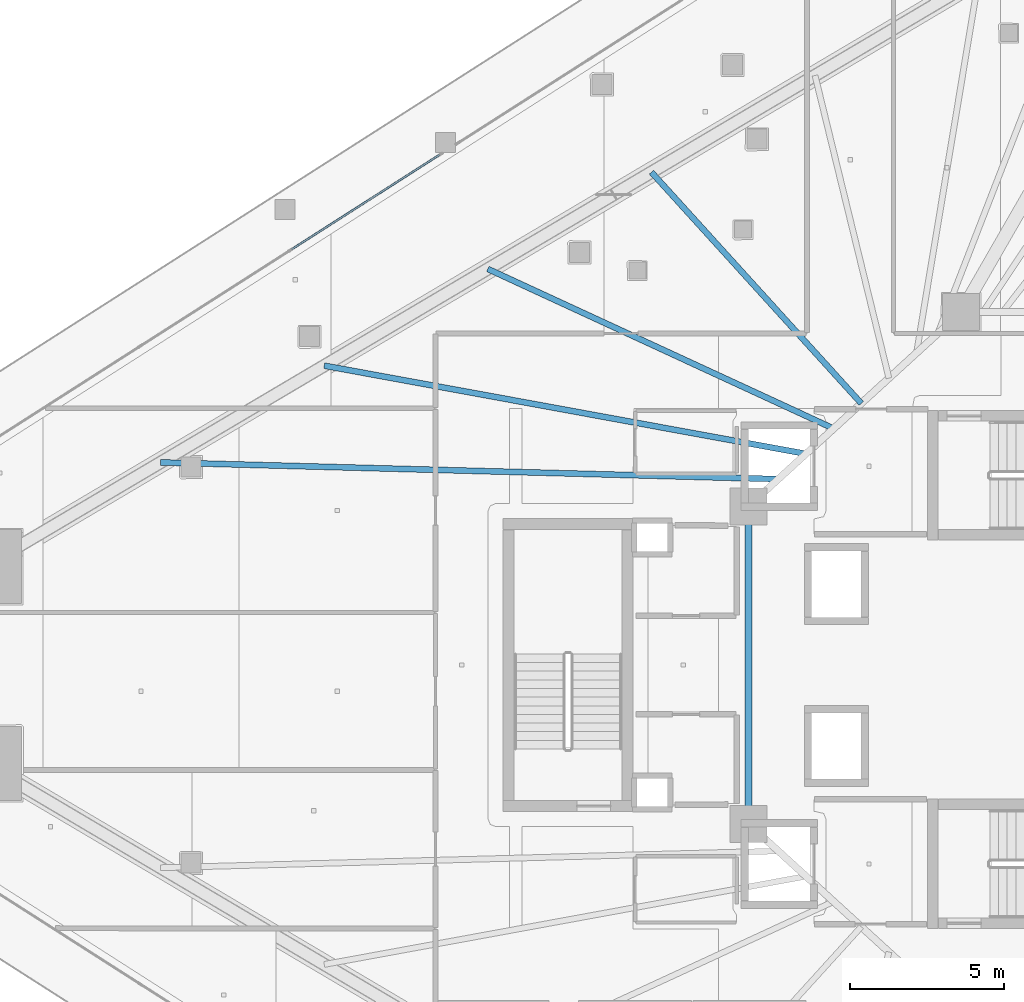
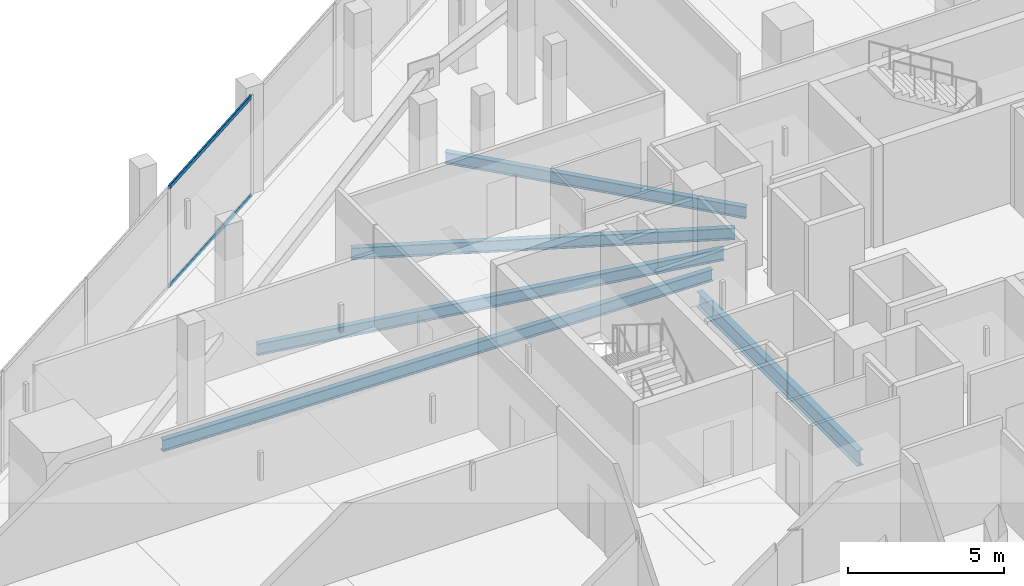
# One storey, part 19 of 52: 5 beams, 2 members, 1 element without a shape of its own.
"""IFC4 building model written with IfcOpenShell, lengths in metres."""

import ifcopenshell
import ifcopenshell.guid

model = None  # the IFC model being written
_history = None  # IfcOwnerHistory: only IFC2X3 demands one
_inside = {}  # id of a spatial element -> (the spatial element, [elements in it])
_under = {}  # id of a project, library or spatial element -> (it, [spatial elements below it])
_declared = {}  # id of a project -> (the project, [libraries it declares])
_typed = {}  # id of a type object -> (the type object, [elements of that type])
_made_of = {}  # id of a material, layer set ... -> (it, [elements and type objects made of it])


def new_model(schema):
    """Start an empty IFC model of exactly this schema.

    Asked for "IFC4X3", IfcOpenShell would pick the latest addendum, in which some entities
    have other attributes; the version numbers below select the first issue.
    IFC2X3 requires an IfcOwnerHistory on every rooted entity: one is made here for all.
    """
    global model, _history
    if schema == "IFC4X3":
        model = ifcopenshell.file(schema_version=(4, 3, 0, 0))
    else:
        model = ifcopenshell.file(schema=schema)
    _inside.clear()
    _under.clear()
    _declared.clear()
    _typed.clear()
    _made_of.clear()
    _history = None
    if model.schema == "IFC2X3":
        org = make("IfcOrganization", Name="unknown")
        user = make(
            "IfcPersonAndOrganization",
            ThePerson=make("IfcPerson", FamilyName="unknown"),
            TheOrganization=org,
        )
        app = make(
            "IfcApplication",
            ApplicationDeveloper=org,
            Version="unknown",
            ApplicationFullName="unknown",
            ApplicationIdentifier="unknown",
        )
        _history = make(
            "IfcOwnerHistory",
            OwningUser=user,
            OwningApplication=app,
            ChangeAction="ADDED",
            CreationDate=0,
        )
    return model


def make(cls, **values):
    """One entity of the class cls with the attributes given. An attribute that is None is left unset."""
    return model.create_entity(
        cls, **{name: value for name, value in values.items() if value is not None}
    )


def rooted(cls, **values):
    """An entity with a GlobalId (a new one), such as an element, a storey or a relation."""
    return make(cls, GlobalId=ifcopenshell.guid.new(), OwnerHistory=_history, **values)


def si_unit(unit_type, name, prefix=None):
    """IfcSIUnit, for example si_unit("LENGTHUNIT", "METRE", prefix="MILLI")."""
    return make("IfcSIUnit", UnitType=unit_type, Prefix=prefix, Name=name)


def assignment(units):
    """IfcUnitAssignment: the units of a project."""
    return None if units is None else make("IfcUnitAssignment", Units=units)


def point(xyz):
    """IfcCartesianPoint."""
    return None if xyz is None else make("IfcCartesianPoint", Coordinates=xyz)


def direction(xyz):
    """IfcDirection."""
    return None if xyz is None else make("IfcDirection", DirectionRatios=xyz)


def frame(location, z_axis=None, x_axis=None):
    """IfcAxis2Placement3D, a coordinate frame: its origin and axes. An axis left out is left unset."""
    return make(
        "IfcAxis2Placement3D",
        Location=point(location),
        Axis=direction(z_axis),
        RefDirection=direction(x_axis),
    )


def frame_2d(location, x_axis=None):
    """IfcAxis2Placement2D, a coordinate frame in the plane: its origin and x axis."""
    return make(
        "IfcAxis2Placement2D", Location=point(location), RefDirection=direction(x_axis)
    )


def origin():
    """The frame at (0, 0, 0) with its axes left unset."""
    return frame((0.0, 0.0, 0.0))


def origin_2d():
    """The frame at (0, 0) in the plane with its x axis left unset."""
    return frame_2d((0.0, 0.0))


def place(relative_to, where):
    """IfcLocalPlacement: puts the frame where relative to a parent placement (None: the world)."""
    return make(
        "IfcLocalPlacement", PlacementRelTo=relative_to, RelativePlacement=where
    )


def context(
    kind, dimensions, precision=None, world=None, true_north=None, identifier=None
):
    """IfcGeometricRepresentationContext, for example the 3D "Model" context."""
    return make(
        "IfcGeometricRepresentationContext",
        ContextIdentifier=identifier,
        ContextType=kind,
        CoordinateSpaceDimension=dimensions,
        Precision=precision,
        WorldCoordinateSystem=world,
        TrueNorth=true_north,
    )


def subcontext(parent, identifier, kind, view, scale=None):
    """IfcGeometricRepresentationSubContext, for example "Body" below "Model"."""
    return make(
        "IfcGeometricRepresentationSubContext",
        ContextIdentifier=identifier,
        ContextType=kind,
        ParentContext=parent,
        TargetScale=scale,
        TargetView=view,
    )


def project(units=None, contexts=None):
    """IfcProject with its units and contexts."""
    return rooted(
        "IfcProject",
        Name="project",
        RepresentationContexts=contexts,
        UnitsInContext=assignment(units),
    )


def spatial(cls, under=None, at=None, **own):
    """A site, building, storey or space (cls), placed at a placement, below another one or the project."""
    s = rooted(cls, ObjectPlacement=at, **own)
    if under is not None:
        _under.setdefault(under.id(), (under, []))[1].append(s)
    return s


def profile(cls, at=None, kind="AREA", **sizes):
    """A parametric profile (cls). Its sizes go by their IFC names, for example OverallWidth=200.0."""
    return make(cls, ProfileType=kind, Position=at, **sizes)


def hollow_rectangle(**sizes):
    """IfcRectangleHollowProfileDef."""
    return profile("IfcRectangleHollowProfileDef", **sizes)


def i_section(**sizes):
    """IfcIShapeProfileDef."""
    return profile("IfcIShapeProfileDef", **sizes)


def extrude(swept, where, along, depth):
    """IfcExtrudedAreaSolid: the profile swept, set in the frame where, extruded along a direction by depth."""
    return make(
        "IfcExtrudedAreaSolid",
        SweptArea=swept,
        Position=where,
        ExtrudedDirection=direction(along),
        Depth=depth,
    )


def shape(context_of_items, identifier, shape_type, items):
    """IfcShapeRepresentation: the items that make up one representation, for example the "Body"."""
    return make(
        "IfcShapeRepresentation",
        ContextOfItems=context_of_items,
        RepresentationIdentifier=identifier,
        RepresentationType=shape_type,
        Items=items,
    )


def material(Name=None, Category=None):
    """IfcMaterial."""
    return make("IfcMaterial", Name=Name, Category=Category)


def layer(
    of_material, thickness, ventilated=None, Name=None, Category=None, Priority=None
):
    """IfcMaterialLayer: one layer of a wall or slab, of a material (None: an air gap)."""
    return make(
        "IfcMaterialLayer",
        Material=of_material,
        LayerThickness=thickness,
        IsVentilated=ventilated,
        Name=Name,
        Category=Category,
        Priority=Priority,
    )


def layer_set(layers, Name=None):
    """IfcMaterialLayerSet."""
    return make("IfcMaterialLayerSet", MaterialLayers=layers, LayerSetName=Name)


def material_profile(
    of_material, cross_section, Name=None, Category=None, Priority=None
):
    """IfcMaterialProfile: a cross section and its material."""
    return make(
        "IfcMaterialProfile",
        Name=Name,
        Material=of_material,
        Profile=cross_section,
        Priority=Priority,
        Category=Category,
    )


def profile_set(profiles, Name=None, composite=None):
    """IfcMaterialProfileSet."""
    return make(
        "IfcMaterialProfileSet",
        Name=Name,
        MaterialProfiles=profiles,
        CompositeProfile=composite,
    )


def made_of(thing, what):
    """Note that an element or type object is made of a material, layer set ...; save() writes the relation."""
    if what is not None:
        _made_of.setdefault(what.id(), (what, []))[1].append(thing)
    return thing


def type_object(cls, material=None, **own):
    """A type object (cls), such as IfcWallType, which elements share."""
    return made_of(rooted(cls, **own), material)


def element(
    cls,
    number,
    at=None,
    inside=None,
    cuts=None,
    type_object=None,
    material=None,
    context=None,
    identifier="Body",
    shape_type=None,
    held_by="IfcProductDefinitionShape",
    body=None,
    shapes=None,
    **own,
):
    """One element of the class cls, such as IfcWall. Its Tag is "e" and its number.

    at: its placement. inside: the storey or other place that contains it. cuts: it is an
    opening in that element (IfcRelVoidsElement). A single representation is given by context,
    identifier, shape_type and body (its items); several are given by shapes. held_by: the class
    of the entity that holds the representations. save() writes the other relations.
    """
    e = rooted(cls, Tag="e%d" % number, ObjectPlacement=at, **own)
    if body is not None:
        shapes = [shape(context, identifier, shape_type, body)]
    if shapes is not None:
        e.Representation = make(held_by, Representations=shapes)
    if inside is not None:
        _inside.setdefault(inside.id(), (inside, []))[1].append(e)
    if cuts is not None:
        rooted(
            "IfcRelVoidsElement", RelatingBuildingElement=cuts, RelatedOpeningElement=e
        )
    if type_object is not None:
        _typed.setdefault(type_object.id(), (type_object, []))[1].append(e)
    return made_of(e, material)


def aggregate(whole, parts):
    """IfcRelAggregates: a whole, such as a stair, and the parts it consists of."""
    return rooted("IfcRelAggregates", RelatingObject=whole, RelatedObjects=parts)


def save(model, path):
    """Write the relations noted so far, then the file.

    IfcRelAggregates (storeys below a building ...), IfcRelContainedInSpatialStructure (elements
    in a storey), IfcRelDefinesByType, IfcRelAssociatesMaterial and IfcRelDeclares: one each for
    every whole, place, type object, material and project.
    """
    for whole, parts in _under.values():
        aggregate(whole, parts)
    for where, things in _inside.values():
        rooted(
            "IfcRelContainedInSpatialStructure",
            RelatedElements=things,
            RelatingStructure=where,
        )
    for kind, things in _typed.values():
        rooted("IfcRelDefinesByType", RelatedObjects=things, RelatingType=kind)
    for what, things in _made_of.values():
        rooted("IfcRelAssociatesMaterial", RelatedObjects=things, RelatingMaterial=what)
    for by, libraries in _declared.values():
        rooted("IfcRelDeclares", RelatingContext=by, RelatedDefinitions=libraries)
    model.write(path)


model = new_model("IFC4")

# Units and contexts
model_context = context("Model", 3, precision=1e-05, world=origin(), true_north=direction((0.0, 1.0)))
body_context = subcontext(model_context, "Body", "Model", "MODEL_VIEW")
ifc_project = project(units=[si_unit("LENGTHUNIT", "METRE"), si_unit("AREAUNIT", "SQUARE_METRE"), si_unit("VOLUMEUNIT", "CUBIC_METRE"), si_unit("PLANEANGLEUNIT", "RADIAN"), si_unit("MASSUNIT", "GRAM", prefix="KILO")], contexts=[model_context])

# Site, building, storey
site_placement = place(None, origin())
site = spatial("IfcSite", under=ifc_project, at=site_placement, CompositionType="ELEMENT")
building_placement = place(site_placement, origin())
building = spatial("IfcBuilding", under=site, at=building_placement, Name="Qorvath Tower", CompositionType="ELEMENT")
storey_placement = place(building_placement, frame((0.0, 0.0, 61.800048828125)))
storey = spatial("IfcBuildingStorey", under=building, at=storey_placement, Name="L13", CompositionType="ELEMENT", Elevation=61.800048828125)

# Beams
ifc_material_1 = material(Name="Steel ASTM A992 Grade 50", Category="steel")
ifc_material_profile_1 = material_profile(ifc_material_1, i_section(OverallWidth=0.22998046875, OverallDepth=0.616943359375, WebThickness=0.01318359375, FlangeThickness=0.022216796875, FilletRadius=0.014892578125, at=origin_2d()), Name="W24x94")
ifc_profile_set_1 = profile_set([ifc_material_profile_1], Name="Steel ASTM A992 Grade 50")
beam_type_1 = type_object("IfcBeamType", Name="BM-FG6", PredefinedType="BEAM", material=ifc_profile_set_1)
beam_1_placement = place(storey_placement, frame((-30.5, -5.14990234375, -0.588623046875), z_axis=(0.0, 1.0, 0.0), x_axis=(-1.0, 0.0, 0.0)))
element("IfcBeam", 1, at=beam_1_placement, inside=storey, type_object=beam_type_1, Name="Core Ring Girder CC6-CC5 L13", PredefinedType="BEAM", context=body_context, shape_type="SweptSolid", body=[
    extrude(i_section(OverallWidth=0.22998046875, OverallDepth=0.616943359375, WebThickness=0.01318359375, FlangeThickness=0.022216796875, FilletRadius=0.014892578125, at=origin_2d()), origin(), (0.0, 0.0, 1.0), 10.2998046875),
])
ifc_material_2 = material(Name="Steel ASTM A992 Grade 50", Category="steel")
ifc_material_profile_2 = material_profile(ifc_material_2, i_section(OverallWidth=0.18994140625, OverallDepth=0.45703125, WebThickness=0.009033203125, FlangeThickness=0.014404296875, FilletRadius=0.011962890625, at=origin_2d()), Name="W18x50")
ifc_profile_set_2 = profile_set([ifc_material_profile_2], Name="Steel ASTM A992 Grade 50")
beam_type_2 = type_object("IfcBeamType", Name="BM-FJ2", PredefinedType="JOIST", material=ifc_profile_set_2)
beam_2_placement = place(storey_placement, frame((-29.533935546875, 6.031982421875, -0.508544921875), z_axis=(-0.999634925413, 0.02701880631, 0.0), x_axis=(-0.02701880631, -0.999634925413, 0.0)))
element("IfcBeam", 2, at=beam_2_placement, inside=storey, type_object=beam_type_2, Name="Composite Floor Joist NW1 L13", PredefinedType="JOIST", context=body_context, shape_type="SweptSolid", body=[
    extrude(i_section(OverallWidth=0.18994140625, OverallDepth=0.45703125, WebThickness=0.009033203125, FlangeThickness=0.014404296875, FilletRadius=0.011962890625, at=origin_2d()), origin(), (0.0, 0.0, 1.0), 20.041748046875),
])
beam_3_placement = place(storey_placement, frame((-28.636962890625, 6.85107421875, -0.508544921875), z_axis=(-0.983656498786, 0.180055248176, 0.0), x_axis=(-0.180055248176, -0.983656498786, 0.0)))
element("IfcBeam", 3, at=beam_3_placement, inside=storey, type_object=beam_type_2, Name="Composite Floor Joist NW2 L13", PredefinedType="JOIST", context=body_context, shape_type="SweptSolid", body=[
    extrude(i_section(OverallWidth=0.18994140625, OverallDepth=0.45703125, WebThickness=0.009033203125, FlangeThickness=0.014404296875, FilletRadius=0.011962890625, at=origin_2d()), origin(), (0.0, 0.0, 1.0), 15.884521484375),
])
beam_4_placement = place(storey_placement, frame((-27.739990234375, 7.669921875, -0.508544921875), z_axis=(-0.907881281747, 0.419227358665, 0.0), x_axis=(-0.419227358665, -0.907881281747, 0.0)))
element("IfcBeam", 4, at=beam_4_placement, inside=storey, type_object=beam_type_2, Name="Composite Floor Joist NW3 L13", PredefinedType="JOIST", context=body_context, shape_type="SweptSolid", body=[
    extrude(i_section(OverallWidth=0.18994140625, OverallDepth=0.45703125, WebThickness=0.009033203125, FlangeThickness=0.014404296875, FilletRadius=0.011962890625, at=origin_2d()), origin(), (0.0, 0.0, 1.0), 12.353515625),
])
beam_5_placement = place(storey_placement, frame((-26.843017578125, 8.489013671875, -0.508544921875), z_axis=(-0.672128980215, 0.740434084815, 0.0), x_axis=(-0.740434084815, -0.672128980215, 0.0)))
element("IfcBeam", 5, at=beam_5_placement, inside=storey, type_object=beam_type_2, Name="Composite Floor Joist NW4 L13", PredefinedType="JOIST", context=body_context, shape_type="SweptSolid", body=[
    extrude(i_section(OverallWidth=0.18994140625, OverallDepth=0.45703125, WebThickness=0.009033203125, FlangeThickness=0.014404296875, FilletRadius=0.011962890625, at=origin_2d()), origin(), (0.0, 0.0, 1.0), 10.1259765625),
])

# Curtain wall, members
ifc_material_3 = material(Name="Anodised aluminium and triple low-E glass", Category="aluminium")
ifc_layer = layer(ifc_material_3, 0.179931640625)
ifc_layer_set = layer_set([ifc_layer], Name="CW-SYS-2")
curtain_wall_type = type_object("IfcCurtainWallType", Name="CW-SYS-2", PredefinedType="NOTDEFINED", material=ifc_layer_set)
curtain_wall_placement = place(storey_placement, origin())
curtain_wall = element("IfcCurtainWall", 6, at=curtain_wall_placement, inside=storey, type_object=curtain_wall_type, Name="Curtain Wall CW-2 CW-T-L13-16.3", PredefinedType="NOTDEFINED")
ifc_material_4 = material(Name="Anodised aluminium 6063-T6", Category="aluminium")
ifc_material_profile_3 = material_profile(ifc_material_4, hollow_rectangle(XDim=0.06494140625, YDim=0.159912109375, WallThickness=0.00341796875, InnerFilletRadius=0.00341796875, OuterFilletRadius=0.007080078125, at=origin_2d()), Name="CWT 160x65")
ifc_profile_set_3 = profile_set([ifc_material_profile_3], Name="Anodised aluminium 6063-T6")
member_type = type_object("IfcMemberType", Name="CWT-160", PredefinedType="USERDEFINED", material=ifc_profile_set_3)
member_1_placement = place(storey_placement, frame((-40.5224609375, 16.55078125, 0.032470703125), z_axis=(-0.842608218997, -0.538527055289, 0.0), x_axis=(0.538527055289, -0.842608218997, 0.0)))
member_1 = element("IfcMember", 7, at=member_1_placement, type_object=member_type, Name="CW-2 transom 1.1", ObjectType="TRANSOM", PredefinedType="USERDEFINED", context=body_context, shape_type="SweptSolid", body=[
    extrude(hollow_rectangle(XDim=0.06494140625, YDim=0.159912109375, WallThickness=0.00341796875, InnerFilletRadius=0.00341796875, OuterFilletRadius=0.007080078125, at=origin_2d()), origin(), (0.0, 0.0, 1.0), 5.697265625),
])
member_2_placement = place(storey_placement, frame((-40.5224609375, 16.55078125, 3.887451171875), z_axis=(-0.842608218997, -0.538527055289, 0.0), x_axis=(0.538527055289, -0.842608218997, 0.0)))
member_2 = element("IfcMember", 8, at=member_2_placement, type_object=member_type, Name="CW-2 transom 1.2", ObjectType="TRANSOM", PredefinedType="USERDEFINED", context=body_context, shape_type="SweptSolid", body=[
    extrude(hollow_rectangle(XDim=0.06494140625, YDim=0.159912109375, WallThickness=0.00341796875, InnerFilletRadius=0.00341796875, OuterFilletRadius=0.007080078125, at=origin_2d()), origin(), (0.0, 0.0, 1.0), 5.697265625),
])
aggregate(curtain_wall, [member_1, member_2])

save(model, "model.ifc")
